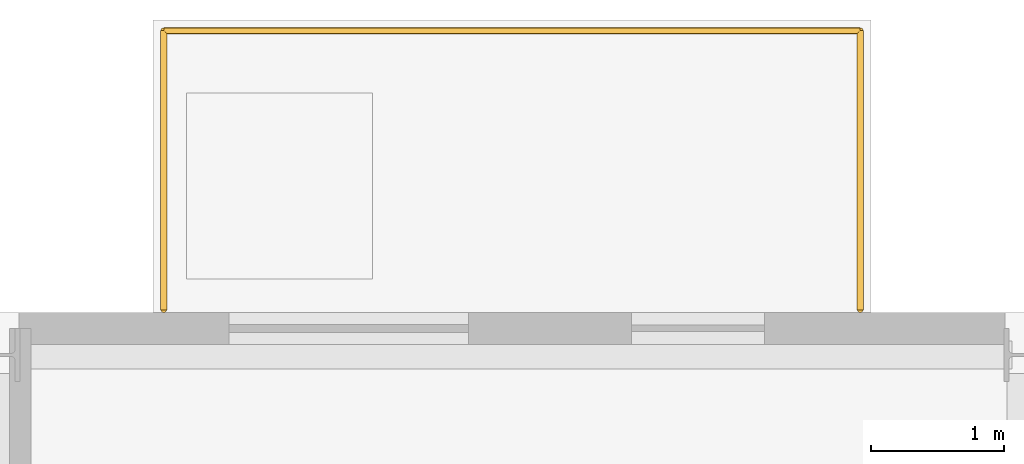
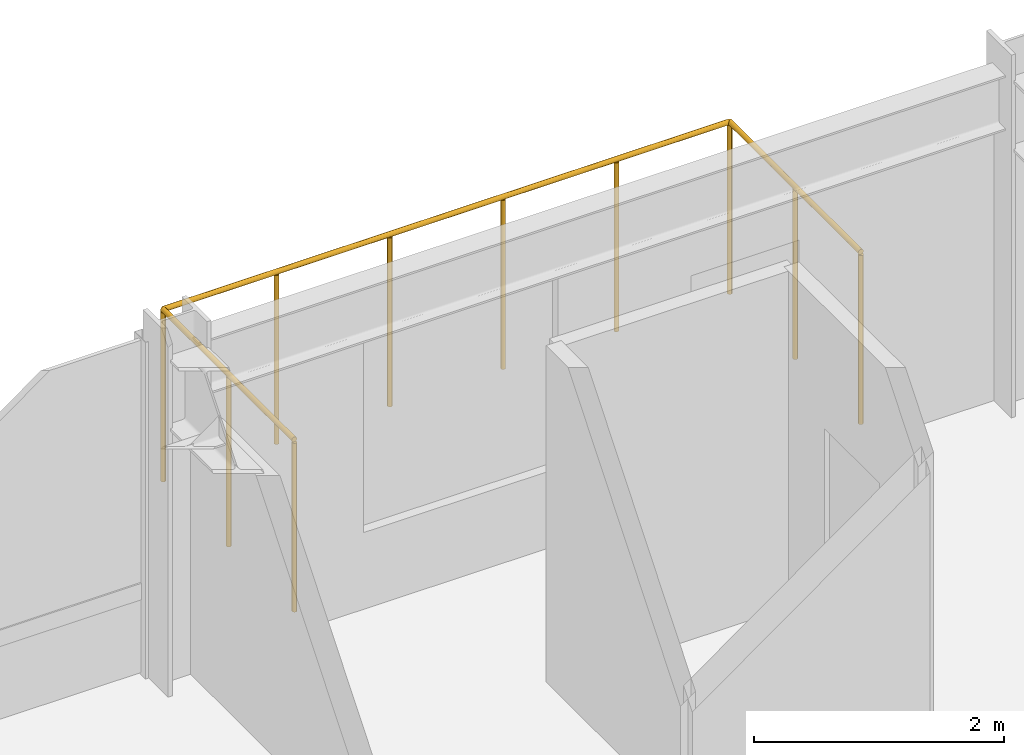
# One storey, part 33 of 33: 1 railing.
"""IFC4 building model written with IfcOpenShell, lengths in metres."""

from ifc_helpers import new_model, si_unit, direction, frame, origin, origin_2d, place, context, subcontext, project, spatial, circle, extrude, material, type_object, element, save


model = new_model("IFC4")

# Units and contexts
model_context = context("Model", 3, precision=1e-05, world=origin(), true_north=direction((0.0, 1.0)))
body_context = subcontext(model_context, "Body", "Model", "MODEL_VIEW")
ifc_project = project(units=[si_unit("LENGTHUNIT", "METRE"), si_unit("AREAUNIT", "SQUARE_METRE"), si_unit("VOLUMEUNIT", "CUBIC_METRE"), si_unit("PLANEANGLEUNIT", "RADIAN"), si_unit("MASSUNIT", "GRAM", prefix="KILO")], contexts=[model_context])

# Site, building, storey
site_placement = place(None, origin())
site = spatial("IfcSite", under=ifc_project, at=site_placement, CompositionType="ELEMENT")
building_placement = place(site_placement, origin())
building = spatial("IfcBuilding", under=site, at=building_placement, Name="Drelvath Grand Hotel", CompositionType="ELEMENT")
storey_placement = place(building_placement, frame((0.0, 0.0, 178.800048828125)))
storey = spatial("IfcBuildingStorey", under=building, at=storey_placement, Name="L46", CompositionType="ELEMENT", Elevation=178.800048828125)

# Railing
ifc_material = material(Name="Anodised Aluminium and Laminated Glass Balustrade", Category="aluminium")
railing_type = type_object("IfcRailingType", Name="Raised Planter Edge Balustrade 1700", PredefinedType="BALUSTRADE", material=ifc_material)
railing_placement = place(storey_placement, frame((9.679931640625, 49.219970703125, 0.0)))
element("IfcRailing", 1, at=railing_placement, inside=storey, type_object=railing_type, Name="L46 Tree Balcony Perimeter Balustrade 1", PredefinedType="BALUSTRADE", context=body_context, shape_type="SweptSolid", body=[
    extrude(circle(Radius=0.02392578125, at=origin_2d()), frame((0.0, 0.0, 1.67578125), z_axis=(0.0, 1.0, 0.0), x_axis=(-1.0, 0.0, 0.0)), (0.0, 0.0, 1.0), 2.10009765625),
    extrude(circle(Radius=0.02392578125, at=origin_2d()), frame((0.0, 2.10009765625, 1.67578125), z_axis=(1.0, 0.0, 0.0), x_axis=(0.0, 1.0, 0.0)), (0.0, 0.0, 1.0), 5.239990234375),
    extrude(circle(Radius=0.02392578125, at=origin_2d()), frame((5.239990234375, 2.10009765625, 1.67578125), z_axis=(0.0, -1.0, 0.0), x_axis=(1.0, 0.0, 0.0)), (0.0, 0.0, 1.0), 2.10009765625),
    extrude(circle(Radius=0.02099609375, at=origin_2d()), origin(), (0.0, 0.0, 1.0), 1.65185546875),
    extrude(circle(Radius=0.02099609375, at=origin_2d()), frame((0.0, 1.050048828125, 0.0)), (0.0, 0.0, 1.0), 1.65185546875),
    extrude(circle(Radius=0.02099609375, at=origin_2d()), frame((0.0, 2.10009765625, 0.0)), (0.0, 0.0, 1.0), 1.65185546875),
    extrude(circle(Radius=0.02099609375, at=origin_2d()), frame((1.048095703125, 2.10009765625, 0.0)), (0.0, 0.0, 1.0), 1.65185546875),
    extrude(circle(Radius=0.02099609375, at=origin_2d()), frame((2.095947265625, 2.10009765625, 0.0)), (0.0, 0.0, 1.0), 1.65185546875),
    extrude(circle(Radius=0.02099609375, at=origin_2d()), frame((3.14404296875, 2.10009765625, 0.0)), (0.0, 0.0, 1.0), 1.65185546875),
    extrude(circle(Radius=0.02099609375, at=origin_2d()), frame((4.19189453125, 2.10009765625, 0.0)), (0.0, 0.0, 1.0), 1.65185546875),
    extrude(circle(Radius=0.02099609375, at=origin_2d()), frame((5.239990234375, 2.10009765625, 0.0)), (0.0, 0.0, 1.0), 1.65185546875),
    extrude(circle(Radius=0.02099609375, at=origin_2d()), frame((5.239990234375, 1.050048828125, 0.0)), (0.0, 0.0, 1.0), 1.65185546875),
    extrude(circle(Radius=0.02099609375, at=origin_2d()), frame((5.239990234375, 0.0, 0.0)), (0.0, 0.0, 1.0), 1.65185546875),
])

save(model, "model.ifc")
